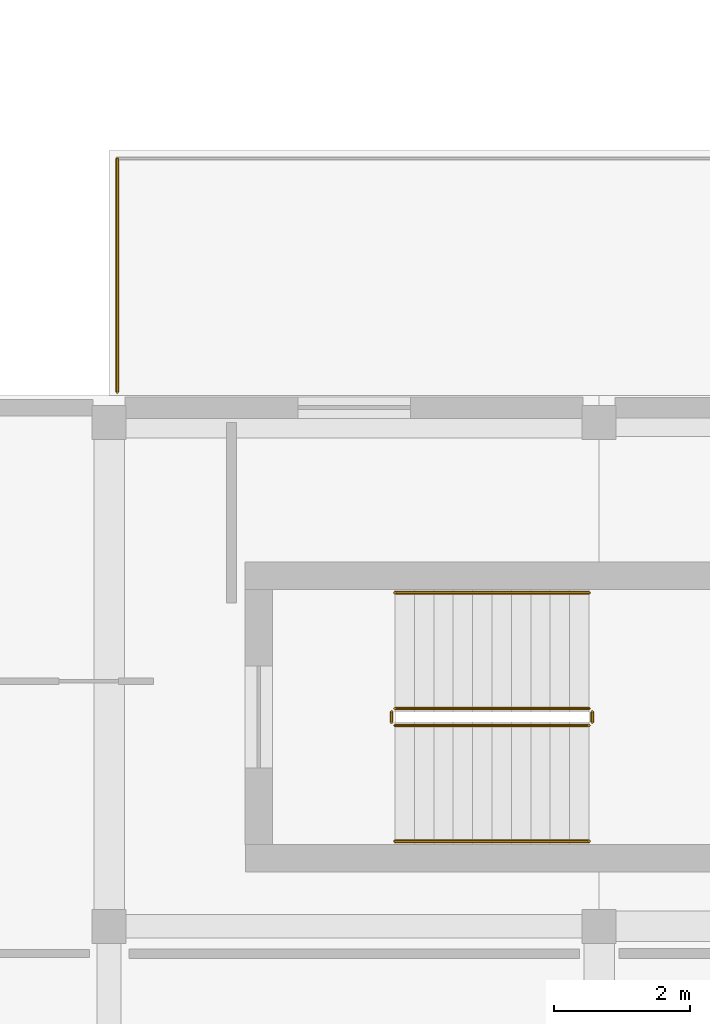
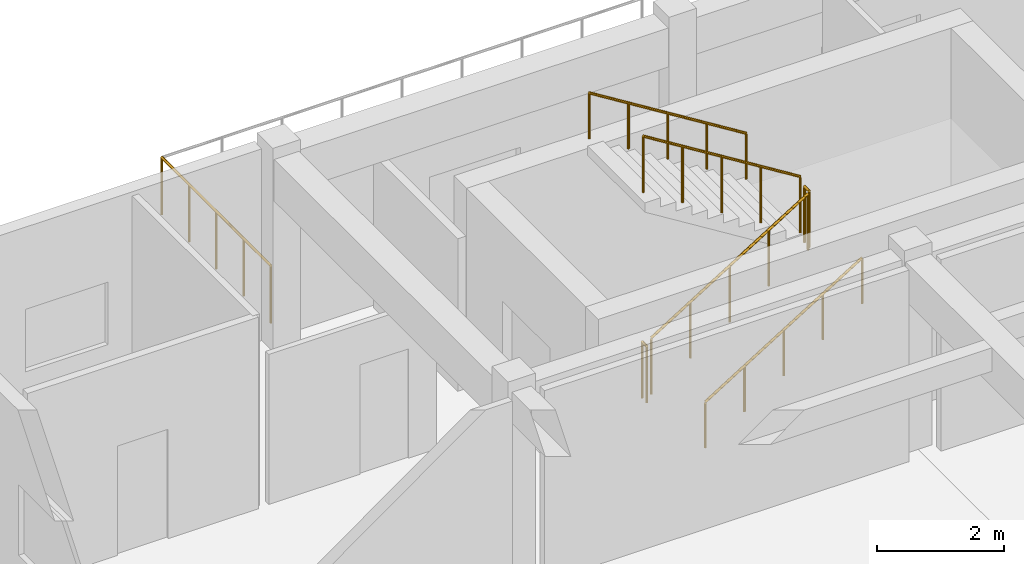
# One storey, part 9 of 11: 7 railings.
"""IFC4 building model written with IfcOpenShell, lengths in metres."""

from ifc_helpers import new_model, si_unit, direction, frame, origin, origin_2d, place, context, subcontext, project, spatial, circle, extrude, material, type_object, element, save


model = new_model("IFC4")

# Units and contexts
model_context = context("Model", 3, precision=1e-05, world=origin(), true_north=direction((0.0, 1.0)))
body_context = subcontext(model_context, "Body", "Model", "MODEL_VIEW")
ifc_project = project(units=[si_unit("LENGTHUNIT", "METRE"), si_unit("AREAUNIT", "SQUARE_METRE"), si_unit("VOLUMEUNIT", "CUBIC_METRE"), si_unit("PLANEANGLEUNIT", "RADIAN"), si_unit("MASSUNIT", "GRAM", prefix="KILO")], contexts=[model_context])

# Site, building, storey
site_placement = place(None, origin())
site = spatial("IfcSite", under=ifc_project, at=site_placement, CompositionType="ELEMENT")
building_placement = place(site_placement, origin())
building = spatial("IfcBuilding", under=site, at=building_placement, Name="Brisavento Harbour Community Centre", CompositionType="ELEMENT")
storey_placement = place(building_placement, frame((0.0, 0.0, 16.800048828125)))
storey = spatial("IfcBuildingStorey", under=building, at=storey_placement, Name="L04", CompositionType="ELEMENT", Elevation=16.800048828125)

# Railings
ifc_material = material(Name="Stainless steel 1.4401", Category="steel")
railing_type_1 = type_object("IfcRailingType", Name="RL-ST-GUARD", PredefinedType="GUARDRAIL", material=ifc_material)
railing_1_placement = place(storey_placement, frame((119.39990234375, 17.949951171875, 0.17724609375)))
element("IfcRailing", 1, at=railing_1_placement, inside=storey, type_object=railing_type_1, Name="L04 ST-04 stair guard 1", PredefinedType="GUARDRAIL", context=body_context, shape_type="SweptSolid", body=[
    extrude(circle(Radius=0.02392578125, at=origin_2d()), frame((0.0, 0.0, 1.076171875), z_axis=(0.849148672731, 0.0, 0.528153890072), x_axis=(0.0, 1.0, 0.0)), (0.0, 0.0, 1.0), 3.3564453125),
    extrude(circle(Radius=0.02099609375, at=origin_2d()), origin(), (0.0, 0.0, 1.0), 1.052001953125),
    extrude(circle(Radius=0.02099609375, at=origin_2d()), frame((0.71240234375, 0.0, 0.443115234375)), (0.0, 0.0, 1.0), 1.052001953125),
    extrude(circle(Radius=0.02099609375, at=origin_2d()), frame((1.425048828125, 0.0, 0.88623046875)), (0.0, 0.0, 1.0), 1.052001953125),
    extrude(circle(Radius=0.02099609375, at=origin_2d()), frame((2.1376953125, 0.0, 1.32958984375)), (0.0, 0.0, 1.0), 1.052001953125),
    extrude(circle(Radius=0.02099609375, at=origin_2d()), frame((2.85009765625, 0.0, 1.772705078125)), (0.0, 0.0, 1.0), 1.052001953125),
])
railing_2_placement = place(storey_placement, frame((122.300048828125, 18.0, 1.949951171875)))
element("IfcRailing", 2, at=railing_2_placement, inside=storey, type_object=railing_type_1, Name="L04 ST-04 stair guard 2", PredefinedType="GUARDRAIL", context=body_context, shape_type="SweptSolid", body=[
    extrude(circle(Radius=0.02392578125, at=origin_2d()), frame((0.0, 0.0, 1.076171875), z_axis=(0.0, 1.0, 0.0), x_axis=(-1.0, 0.0, 0.0)), (0.0, 0.0, 1.0), 0.14990234375),
    extrude(circle(Radius=0.02099609375, at=origin_2d()), origin(), (0.0, 0.0, 1.0), 1.052001953125),
    extrude(circle(Radius=0.02099609375, at=origin_2d()), frame((0.0, 0.14990234375, 0.0)), (0.0, 0.0, 1.0), 1.052001953125),
])
railing_3_placement = place(storey_placement, frame((122.25, 18.199951171875, 2.127197265625)))
element("IfcRailing", 3, at=railing_3_placement, inside=storey, type_object=railing_type_1, Name="L04 ST-04 stair guard 3", PredefinedType="GUARDRAIL", context=body_context, shape_type="SweptSolid", body=[
    extrude(circle(Radius=0.02392578125, at=origin_2d()), frame((0.0, 0.0, 1.076171875), z_axis=(-0.849148672731, 0.0, 0.528153890072), x_axis=(0.0, -1.0, 0.0)), (0.0, 0.0, 1.0), 3.3564453125),
    extrude(circle(Radius=0.02099609375, at=origin_2d()), origin(), (0.0, 0.0, 1.0), 1.052001953125),
    extrude(circle(Radius=0.02099609375, at=origin_2d()), frame((-0.71240234375, 0.0, 0.443115234375)), (0.0, 0.0, 1.0), 1.052001953125),
    extrude(circle(Radius=0.02099609375, at=origin_2d()), frame((-1.425048828125, 0.0, 0.88623046875)), (0.0, 0.0, 1.0), 1.052001953125),
    extrude(circle(Radius=0.02099609375, at=origin_2d()), frame((-2.1376953125, 0.0, 1.32958984375)), (0.0, 0.0, 1.0), 1.052001953125),
    extrude(circle(Radius=0.02099609375, at=origin_2d()), frame((-2.85009765625, 0.0, 1.772705078125)), (0.0, 0.0, 1.0), 1.052001953125),
])
railing_4_placement = place(storey_placement, frame((119.35009765625, 18.0, 0.0)))
element("IfcRailing", 4, at=railing_4_placement, inside=storey, type_object=railing_type_1, Name="L04 ST-04 stair guard 4", PredefinedType="GUARDRAIL", context=body_context, shape_type="SweptSolid", body=[
    extrude(circle(Radius=0.02392578125, at=origin_2d()), frame((0.0, 0.0, 1.076171875), z_axis=(0.0, 1.0, 0.0), x_axis=(-1.0, 0.0, 0.0)), (0.0, 0.0, 1.0), 0.14990234375),
    extrude(circle(Radius=0.02099609375, at=origin_2d()), origin(), (0.0, 0.0, 1.0), 1.052001953125),
    extrude(circle(Radius=0.02099609375, at=origin_2d()), frame((0.0, 0.14990234375, 0.0)), (0.0, 0.0, 1.0), 1.052001953125),
])
railing_type_2 = type_object("IfcRailingType", Name="RL-ST-HAND", PredefinedType="HANDRAIL", material=ifc_material)
railing_5_placement = place(storey_placement, frame((119.39990234375, 16.25, 0.17724609375)))
element("IfcRailing", 5, at=railing_5_placement, inside=storey, type_object=railing_type_2, Name="L04 ST-04 stair handrail 1", PredefinedType="HANDRAIL", context=body_context, shape_type="SweptSolid", body=[
    extrude(circle(Radius=0.02392578125, at=origin_2d()), frame((0.0, 0.0, 0.8759765625), z_axis=(0.849148672731, 0.0, 0.528153890072), x_axis=(0.0, 1.0, 0.0)), (0.0, 0.0, 1.0), 3.3564453125),
    extrude(circle(Radius=0.02099609375, at=origin_2d()), origin(), (0.0, 0.0, 1.0), 0.851806640625),
    extrude(circle(Radius=0.02099609375, at=origin_2d()), frame((0.71240234375, 0.0, 0.443115234375)), (0.0, 0.0, 1.0), 0.851806640625),
    extrude(circle(Radius=0.02099609375, at=origin_2d()), frame((1.425048828125, 0.0, 0.88623046875)), (0.0, 0.0, 1.0), 0.851806640625),
    extrude(circle(Radius=0.02099609375, at=origin_2d()), frame((2.1376953125, 0.0, 1.32958984375)), (0.0, 0.0, 1.0), 0.851806640625),
    extrude(circle(Radius=0.02099609375, at=origin_2d()), frame((2.85009765625, 0.0, 1.772705078125)), (0.0, 0.0, 1.0), 0.851806640625),
])
railing_6_placement = place(storey_placement, frame((122.25, 19.89990234375, 2.127197265625)))
element("IfcRailing", 6, at=railing_6_placement, inside=storey, type_object=railing_type_2, Name="L04 ST-04 stair handrail 2", PredefinedType="HANDRAIL", context=body_context, shape_type="SweptSolid", body=[
    extrude(circle(Radius=0.02392578125, at=origin_2d()), frame((0.0, 0.0, 0.8759765625), z_axis=(-0.849148672731, 0.0, 0.528153890072), x_axis=(0.0, -1.0, 0.0)), (0.0, 0.0, 1.0), 3.3564453125),
    extrude(circle(Radius=0.02099609375, at=origin_2d()), origin(), (0.0, 0.0, 1.0), 0.851806640625),
    extrude(circle(Radius=0.02099609375, at=origin_2d()), frame((-0.71240234375, 0.0, 0.443115234375)), (0.0, 0.0, 1.0), 0.851806640625),
    extrude(circle(Radius=0.02099609375, at=origin_2d()), frame((-1.425048828125, 0.0, 0.88623046875)), (0.0, 0.0, 1.0), 0.851806640625),
    extrude(circle(Radius=0.02099609375, at=origin_2d()), frame((-2.1376953125, 0.0, 1.32958984375)), (0.0, 0.0, 1.0), 0.851806640625),
    extrude(circle(Radius=0.02099609375, at=origin_2d()), frame((-2.85009765625, 0.0, 1.772705078125)), (0.0, 0.0, 1.0), 0.851806640625),
])
railing_type_3 = type_object("IfcRailingType", Name="RL-TER-GUARD", PredefinedType="GUARDRAIL", material=ifc_material)
railing_7_placement = place(storey_placement, frame((115.320068359375, 22.85009765625, 0.0)))
element("IfcRailing", 7, at=railing_7_placement, inside=storey, type_object=railing_type_3, Name="L04 Courtyard Reading Terrace west guard", PredefinedType="GUARDRAIL", context=body_context, shape_type="SweptSolid", body=[
    extrude(circle(Radius=0.02392578125, at=origin_2d()), frame((0.0, 0.0, 1.09619140625), z_axis=(0.0, 1.0, 0.0), x_axis=(-1.0, 0.0, 0.0)), (0.0, 0.0, 1.0), 3.429931640625),
    extrude(circle(Radius=0.02099609375, at=origin_2d()), origin(), (0.0, 0.0, 1.0), 1.072021484375),
    extrude(circle(Radius=0.02099609375, at=origin_2d()), frame((0.0, 0.857421875, 0.0)), (0.0, 0.0, 1.0), 1.072021484375),
    extrude(circle(Radius=0.02099609375, at=origin_2d()), frame((0.0, 1.71484375, 0.0)), (0.0, 0.0, 1.0), 1.072021484375),
    extrude(circle(Radius=0.02099609375, at=origin_2d()), frame((0.0, 2.572509765625, 0.0)), (0.0, 0.0, 1.0), 1.072021484375),
    extrude(circle(Radius=0.02099609375, at=origin_2d()), frame((0.0, 3.429931640625, 0.0)), (0.0, 0.0, 1.0), 1.072021484375),
])

save(model, "model.ifc")
